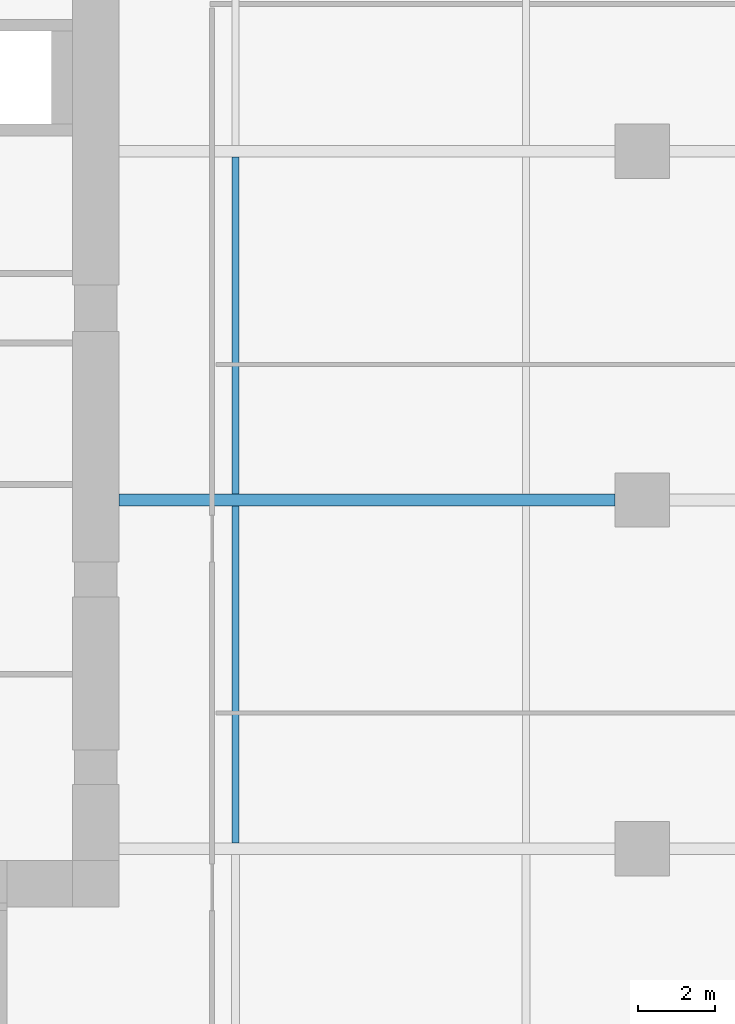
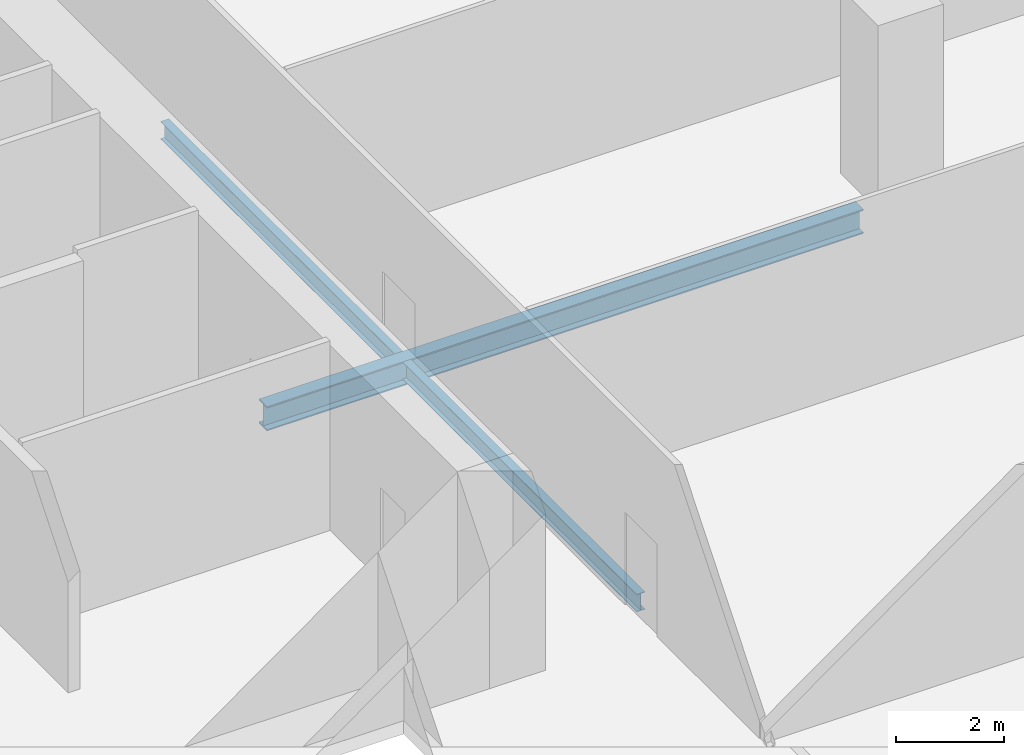
# One storey, part 6 of 32: 3 beams.
"""IFC4 building model written with IfcOpenShell, lengths in metres."""

from ifc_helpers import new_model, si_unit, direction, frame, origin, origin_2d, place, context, subcontext, project, spatial, i_section, extrude, source, transform, mapped, material, material_profile, profile_set, type_object, element, save


model = new_model("IFC4")

# Units and contexts
model_context = context("Model", 3, precision=1e-05, world=origin(), true_north=direction((0.0, 1.0)))
body_context = subcontext(model_context, "Body", "Model", "MODEL_VIEW")
ifc_project = project(units=[si_unit("LENGTHUNIT", "METRE"), si_unit("AREAUNIT", "SQUARE_METRE"), si_unit("VOLUMEUNIT", "CUBIC_METRE"), si_unit("PLANEANGLEUNIT", "RADIAN"), si_unit("MASSUNIT", "GRAM", prefix="KILO")], contexts=[model_context])

# Site, building, storey
site_placement = place(None, origin())
site = spatial("IfcSite", under=ifc_project, at=site_placement, CompositionType="ELEMENT")
building_placement = place(site_placement, origin())
building = spatial("IfcBuilding", under=site, at=building_placement, Name="Khomas Fold Tower", CompositionType="ELEMENT")
storey_placement = place(building_placement, frame((0.0, 0.0, 37.5)))
storey = spatial("IfcBuildingStorey", under=building, at=storey_placement, Name="L07", CompositionType="ELEMENT", Elevation=37.5)

# Beams
ifc_material_1 = material(Name="Steel S355", Category="steel")
ifc_material_profile_1 = material_profile(ifc_material_1, i_section(OverallWidth=0.300048828125, OverallDepth=0.550048828125, WebThickness=0.014892578125, FlangeThickness=0.029052734375, at=origin_2d()), Name="HE 550 B")
ifc_profile_set_1 = profile_set([ifc_material_profile_1], Name="Steel S355")
beam_type_1 = type_object("IfcBeamType", Name="HE 550 B beam GB4", PredefinedType="BEAM", material=ifc_profile_set_1)
shared_shape_1 = source(origin(), body_context, "Body", "SweptSolid", [
    extrude(i_section(OverallWidth=0.300048828125, OverallDepth=0.550048828125, WebThickness=0.014892578125, FlangeThickness=0.029052734375, at=origin_2d()), origin(), (0.0, 0.0, 1.0), 12.800048828125),
])
beam_placement = place(storey_placement, frame((24.0, 22.5, -0.574951171875), z_axis=(1.0, 0.0, 0.0), x_axis=(0.0, 1.0, 0.0)))
element("IfcBeam", 1, at=beam_placement, inside=storey, type_object=beam_type_1, Name="GB4", PredefinedType="BEAM", context=body_context, shape_type="MappedRepresentation", body=[
    mapped(shared_shape_1, transform((0.0, 0.0, 0.0))),
])
ifc_material_2 = material(Name="Steel S355", Category="steel")
ifc_material_profile_2 = material_profile(ifc_material_2, i_section(OverallWidth=0.179931640625, OverallDepth=0.39990234375, WebThickness=0.008544921875, FlangeThickness=0.013427734375, at=origin_2d()), Name="IPE 400")
ifc_profile_set_2 = profile_set([ifc_material_profile_2], Name="Steel S355")
beam_type_2 = type_object("IfcBeamType", Name="IPE 400 beam JB3", PredefinedType="BEAM", material=ifc_profile_set_2)
shared_shape_2 = source(origin(), body_context, "Body", "SweptSolid", [
    extrude(i_section(OverallWidth=0.179931640625, OverallDepth=0.39990234375, WebThickness=0.008544921875, FlangeThickness=0.013427734375, at=origin_2d()), origin(), (0.0, 0.0, 1.0), 8.7001953125),
])
for number, where, z_axis, x_axis, name in (
    (2, (27.0, 13.64990234375, -0.5), (0.0, 1.0, 0.0), (-1.0, 0.0, 0.0), "JB3"),
    (3, (27.0, 22.64990234375, -0.5), (0.0, 1.0, 0.0), (-1.0, 0.0, 0.0), "JB3"),
):
    element("IfcBeam", number, at=place(storey_placement, frame(where, z_axis=z_axis, x_axis=x_axis)), inside=storey, type_object=beam_type_2, Name=name, PredefinedType="BEAM", context=body_context, shape_type="MappedRepresentation", body=[
        mapped(shared_shape_2, transform((0.0, 0.0, 0.0))),
    ])

save(model, "model.ifc")
